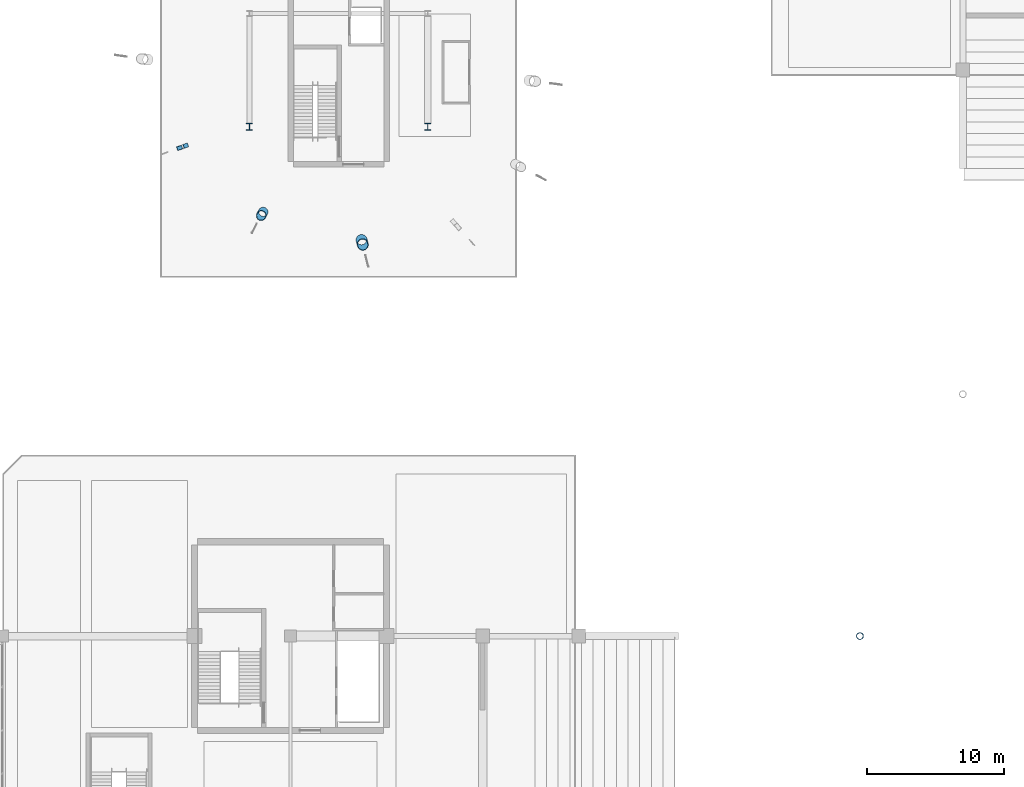
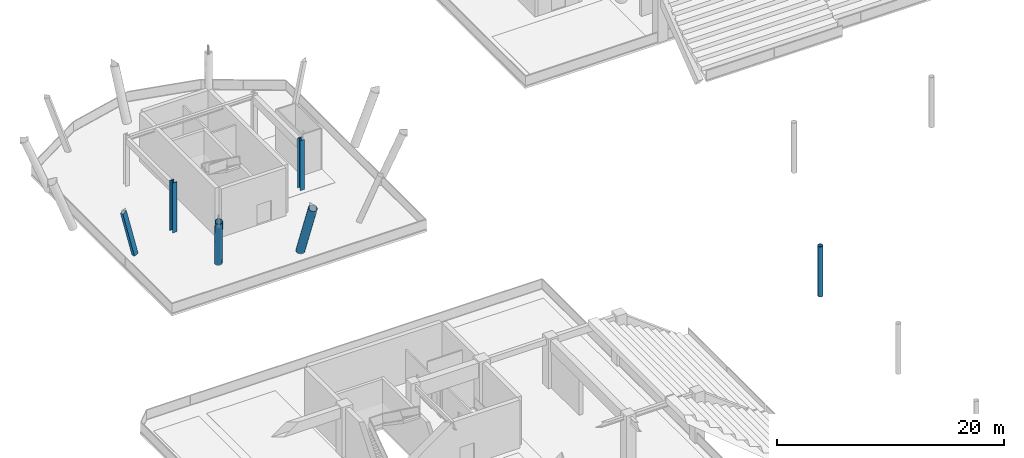
# One storey, part 16 of 117: 6 columns.
"""IFC4 building model written with IfcOpenShell, lengths in metres."""

from ifc_helpers import new_model, si_unit, direction, frame, origin, origin_2d, place, context, subcontext, project, spatial, hollow_rectangle, hollow_circle, i_section, extrude, material, material_profile, profile_set, type_object, element, save


model = new_model("IFC4")

# Units and contexts
model_context = context("Model", 3, precision=1e-05, world=origin(), true_north=direction((0.0, 1.0)))
body_context = subcontext(model_context, "Body", "Model", "MODEL_VIEW")
ifc_project = project(units=[si_unit("LENGTHUNIT", "METRE"), si_unit("AREAUNIT", "SQUARE_METRE"), si_unit("VOLUMEUNIT", "CUBIC_METRE"), si_unit("PLANEANGLEUNIT", "RADIAN"), si_unit("MASSUNIT", "GRAM", prefix="KILO")], contexts=[model_context])

# Site, building, storey
site_placement = place(None, origin())
site = spatial("IfcSite", under=ifc_project, at=site_placement, CompositionType="ELEMENT")
building_placement = place(site_placement, origin())
building = spatial("IfcBuilding", under=site, at=building_placement, Name="Linyun Crest Stadium", CompositionType="ELEMENT")
storey_placement = place(building_placement, frame((0.0, 0.0, 6.0)))
storey = spatial("IfcBuildingStorey", under=building, at=storey_placement, Name="L02", CompositionType="ELEMENT", Elevation=6.0)

# Columns
ifc_material_1 = material(Name="Steel Q420C", Category="steel")
ifc_material_profile_1 = material_profile(ifc_material_1, i_section(OverallWidth=0.431884765625, OverallDepth=0.498046875, WebThickness=0.02392578125, FlangeThickness=0.0380859375, at=origin_2d()), Name="HW 498x432")
ifc_profile_set_1 = profile_set([ifc_material_profile_1], Name="Steel Q420C")
column_type_1 = type_object("IfcColumnType", Name="SC04", PredefinedType="COLUMN", material=ifc_profile_set_1)
for number, where, z_axis, x_axis, name in (
    (1, (-80.0, 80.5, 0.0), (0.0, 0.0, 1.0), (1.0, 0.0, 0.0), "Column SC04 L02 796"),
    (2, (-67.0, 80.5, 0.0), (0.0, 0.0, 1.0), (1.0, 0.0, 0.0), "Column SC04 L02 803"),
):
    element("IfcColumn", number, at=place(storey_placement, frame(where, z_axis=z_axis, x_axis=x_axis)), inside=storey, type_object=column_type_1, Name=name, PredefinedType="COLUMN", context=body_context, shape_type="SweptSolid", body=[
        extrude(i_section(OverallWidth=0.431884765625, OverallDepth=0.498046875, WebThickness=0.02392578125, FlangeThickness=0.0380859375, at=origin_2d()), origin(), (0.0, 0.0, 1.0), 5.39794921875),
    ])
ifc_material_2 = material(Name="Steel Q355C", Category="steel")
ifc_material_profile_2 = material_profile(ifc_material_2, hollow_circle(Radius=0.25390625, WallThickness=0.02490234375, at=origin_2d()), Name="CHS 508x25")
ifc_profile_set_2 = profile_set([ifc_material_profile_2], Name="Steel Q355C")
column_type_2 = type_object("IfcColumnType", Name="SC05", PredefinedType="COLUMN", material=ifc_profile_set_2)
column_1_placement = place(storey_placement, frame((-35.5, 43.375, 0.0), z_axis=(0.0, 0.0, 1.0), x_axis=(1.0, 0.0, 0.0)))
element("IfcColumn", 3, at=column_1_placement, inside=storey, type_object=column_type_2, Name="Arch colonnade column SC05 L02 16", PredefinedType="COLUMN", context=body_context, shape_type="SweptSolid", body=[
    extrude(hollow_circle(Radius=0.25390625, WallThickness=0.02490234375, at=origin_2d()), origin(), (0.0, 0.0, 1.0), 5.39990234375),
])
ifc_material_3 = material(Name="Steel Q420C", Category="steel")
ifc_material_profile_3 = material_profile(ifc_material_3, hollow_circle(Radius=0.35546875, WallThickness=0.031982421875, at=origin_2d()), Name="CHS 711x32")
ifc_profile_set_3 = profile_set([ifc_material_profile_3], Name="Steel Q420C")
column_type_3 = type_object("IfcColumnType", Name="VL01", PredefinedType="PILASTER", material=ifc_profile_set_3)
column_2_placement = place(storey_placement, frame((-78.998046875, 74.283935546875, 0.001953125), z_axis=(-0.11464459209, -0.215644152363, 0.969718627776), x_axis=(0.882973793471, -0.469422283284, 0.0)))
element("IfcColumn", 4, at=column_2_placement, inside=storey, type_object=column_type_3, Name="Inclined V-leg pier VL01 29", PredefinedType="PILASTER", context=body_context, shape_type="SweptSolid", body=[
    extrude(hollow_circle(Radius=0.35546875, WallThickness=0.031982421875, at=origin_2d()), origin(), (0.0, 0.0, 1.0), 5.564453125),
])
ifc_material_4 = material(Name="Steel Q420C", Category="steel")
ifc_material_profile_4 = material_profile(ifc_material_4, hollow_circle(Radius=0.406494140625, WallThickness=0.035888671875, at=origin_2d()), Name="CHS 813x36")
ifc_profile_set_4 = profile_set([ifc_material_profile_4], Name="Steel Q420C")
column_type_4 = type_object("IfcColumnType", Name="VL02", PredefinedType="PILASTER", material=ifc_profile_set_4)
column_3_placement = place(storey_placement, frame((-71.823974609375, 72.2470703125, 0.001953125), z_axis=(0.06969646561, -0.27409892702, 0.959172654368), x_axis=(0.969159835539, 0.246432979081, 0.0)))
element("IfcColumn", 5, at=column_3_placement, inside=storey, type_object=column_type_4, Name="Inclined V-leg pier VL02 32", PredefinedType="PILASTER", context=body_context, shape_type="SweptSolid", body=[
    extrude(hollow_circle(Radius=0.406494140625, WallThickness=0.035888671875, at=origin_2d()), origin(), (0.0, 0.0, 1.0), 5.625732421875),
])
ifc_material_5 = material(Name="Steel Q420C", Category="steel")
ifc_material_profile_5 = material_profile(ifc_material_5, hollow_rectangle(XDim=0.300048828125, YDim=0.5, WallThickness=0.02001953125, at=origin_2d()), Name="RHS 500x300x20")
ifc_profile_set_5 = profile_set([ifc_material_profile_5], Name="Steel Q420C")
column_type_5 = type_object("IfcColumnType", Name="VL03", PredefinedType="PILASTER", material=ifc_profile_set_5)
column_4_placement = place(storey_placement, frame((-84.698974609375, 79.092041015625, 0.001953125), z_axis=(-0.266286911611, -0.095300856893, 0.959171010498), x_axis=(0.336958422921, -0.941519527797, 0.0)))
element("IfcColumn", 6, at=column_4_placement, inside=storey, type_object=column_type_5, Name="Inclined V-leg pier VL03 26", PredefinedType="PILASTER", context=body_context, shape_type="SweptSolid", body=[
    extrude(hollow_rectangle(XDim=0.300048828125, YDim=0.5, WallThickness=0.02001953125, at=origin_2d()), origin(), (0.0, 0.0, 1.0), 5.625732421875),
])

save(model, "model.ifc")
